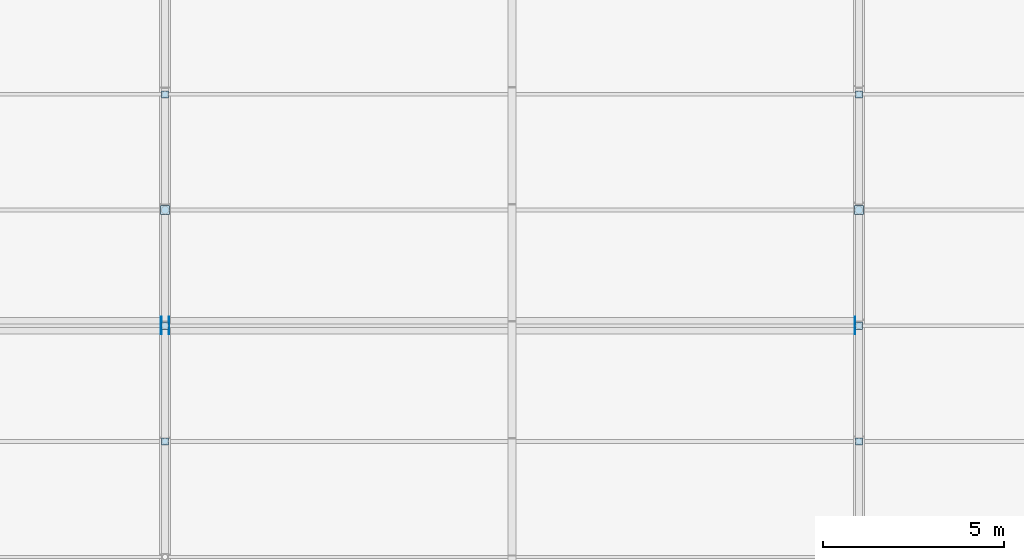
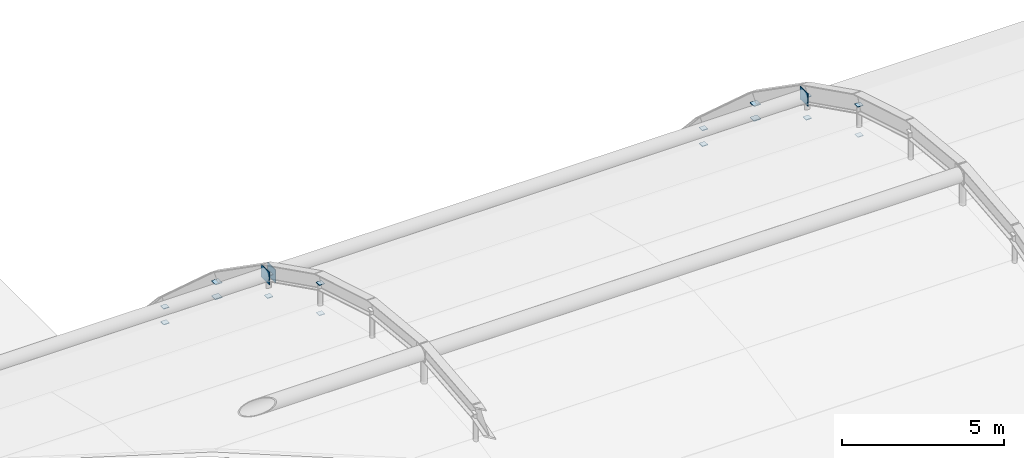
# One storey, part 115 of 126: 19 plates.
"""IFC4 building model written with IfcOpenShell, lengths in metres."""

from ifc_helpers import new_model, si_unit, direction, frame, origin, origin_2d, place, context, subcontext, project, spatial, rectangle, extrude, material, layer, layer_set, type_object, element, save


model = new_model("IFC4")

# Units and contexts
model_context = context("Model", 3, precision=1e-05, world=origin(), true_north=direction((0.0, 1.0)))
body_context = subcontext(model_context, "Body", "Model", "MODEL_VIEW")
ifc_project = project(units=[si_unit("LENGTHUNIT", "METRE"), si_unit("AREAUNIT", "SQUARE_METRE"), si_unit("VOLUMEUNIT", "CUBIC_METRE"), si_unit("PLANEANGLEUNIT", "RADIAN"), si_unit("MASSUNIT", "GRAM", prefix="KILO")], contexts=[model_context])

# Site, building, storey
site_placement = place(None, origin())
site = spatial("IfcSite", under=ifc_project, at=site_placement, CompositionType="ELEMENT")
building_placement = place(site_placement, origin())
building = spatial("IfcBuilding", under=site, at=building_placement, Name="Coralgate Yard Interchange", CompositionType="ELEMENT")
storey_placement = place(building_placement, frame((0.0, 0.0, 10.5)))
storey = spatial("IfcBuildingStorey", under=building, at=storey_placement, Name="L02", CompositionType="ELEMENT", Elevation=10.5)

# Plates
ifc_material = material(Name="Yellow-ochre weather-coated structural steel S355J2", Category="steel")
ifc_layer = layer(ifc_material, 0.02392578125)
ifc_layer_set = layer_set([ifc_layer], Name="Yellow-ochre weather-coated structural steel S355J2")
plate_type = type_object("IfcPlateType", Name="PLT-EP-24", PredefinedType="USERDEFINED", material=ifc_layer_set)
for number, where, z_axis, x_axis, name in (
    (1, (105.60009765625, 64.0, 11.8203125), (0.0, 0.0, 1.0), (1.0, 0.0, 0.0), "Steel hollow section end cap plate CAP-HGR-4-08-T"),
    (2, (105.60009765625, 64.0, 10.7021484375), (0.0, 0.0, -1.0), (1.0, 0.0, 0.0), "Steel hollow section end cap plate CAP-HGR-4-08-B"),
    (3, (105.60009765625, 67.199951171875, 10.22314453125), (0.0, 0.0, 1.0), (1.0, 0.0, 0.0), "Steel hollow section end cap plate CAP-HGR-4-09-T"),
    (4, (105.60009765625, 67.199951171875, 9.41455078125), (0.0, 0.0, -1.0), (1.0, 0.0, 0.0), "Steel hollow section end cap plate CAP-HGR-4-09-B"),
):
    element("IfcPlate", number, at=place(storey_placement, frame(where, z_axis=z_axis, x_axis=x_axis)), inside=storey, type_object=plate_type, Name=name, ObjectType="CAP PLATE", PredefinedType="USERDEFINED", context=body_context, shape_type="SweptSolid", body=[
        extrude(rectangle(XDim=0.197998046875, YDim=0.197998046875, at=origin_2d()), origin(), (0.0, 0.0, 1.0), 0.02392578125),
    ])
for number, where, z_axis, x_axis, name in (
    (5, (105.60009765625, 70.39990234375, 7.98681640625), (0.0, 0.0, 1.0), (1.0, 0.0, 0.0), "Steel hollow section end cap plate CAP-HGR-4-10-T"),
    (6, (105.60009765625, 70.39990234375, 7.451171875), (0.0, 0.0, -1.0), (1.0, 0.0, 0.0), "Steel hollow section end cap plate CAP-HGR-4-10-B"),
):
    element("IfcPlate", number, at=place(storey_placement, frame(where, z_axis=z_axis, x_axis=x_axis)), inside=storey, type_object=plate_type, Name=name, ObjectType="CAP PLATE", PredefinedType="USERDEFINED", context=body_context, shape_type="SweptSolid", body=[
        extrude(rectangle(XDim=0.2490234375, YDim=0.2490234375, at=origin_2d()), origin(), (0.0, 0.0, 1.0), 0.02392578125),
    ])
for number, where, z_axis, x_axis, name in (
    (7, (105.60009765625, 73.60009765625, 5.11181640625), (0.0, 0.0, 1.0), (1.0, 0.0, 0.0), "Steel hollow section end cap plate CAP-HGR-4-11-T"),
    (8, (105.60009765625, 73.60009765625, 4.5380859375), (0.0, 0.0, -1.0), (1.0, 0.0, 0.0), "Steel hollow section end cap plate CAP-HGR-4-11-B"),
    (9, (124.800048828125, 64.0, 11.8203125), (0.0, 0.0, 1.0), (1.0, 0.0, 0.0), "Steel hollow section end cap plate CAP-HGR-5-08-T"),
    (10, (124.800048828125, 64.0, 10.7021484375), (0.0, 0.0, -1.0), (1.0, 0.0, 0.0), "Steel hollow section end cap plate CAP-HGR-5-08-B"),
    (11, (124.800048828125, 67.199951171875, 10.22314453125), (0.0, 0.0, 1.0), (1.0, 0.0, 0.0), "Steel hollow section end cap plate CAP-HGR-5-09-T"),
    (12, (124.800048828125, 67.199951171875, 9.41455078125), (0.0, 0.0, -1.0), (1.0, 0.0, 0.0), "Steel hollow section end cap plate CAP-HGR-5-09-B"),
):
    element("IfcPlate", number, at=place(storey_placement, frame(where, z_axis=z_axis, x_axis=x_axis)), inside=storey, type_object=plate_type, Name=name, ObjectType="CAP PLATE", PredefinedType="USERDEFINED", context=body_context, shape_type="SweptSolid", body=[
        extrude(rectangle(XDim=0.197998046875, YDim=0.197998046875, at=origin_2d()), origin(), (0.0, 0.0, 1.0), 0.02392578125),
    ])
for number, where, z_axis, x_axis, name in (
    (13, (124.800048828125, 70.39990234375, 7.98681640625), (0.0, 0.0, 1.0), (1.0, 0.0, 0.0), "Steel hollow section end cap plate CAP-HGR-5-10-T"),
    (14, (124.800048828125, 70.39990234375, 7.451171875), (0.0, 0.0, -1.0), (1.0, 0.0, 0.0), "Steel hollow section end cap plate CAP-HGR-5-10-B"),
):
    element("IfcPlate", number, at=place(storey_placement, frame(where, z_axis=z_axis, x_axis=x_axis)), inside=storey, type_object=plate_type, Name=name, ObjectType="CAP PLATE", PredefinedType="USERDEFINED", context=body_context, shape_type="SweptSolid", body=[
        extrude(rectangle(XDim=0.2490234375, YDim=0.2490234375, at=origin_2d()), origin(), (0.0, 0.0, 1.0), 0.02392578125),
    ])
for number, where, z_axis, x_axis, name in (
    (15, (124.800048828125, 73.60009765625, 5.11181640625), (0.0, 0.0, 1.0), (1.0, 0.0, 0.0), "Steel hollow section end cap plate CAP-HGR-5-11-T"),
    (16, (124.800048828125, 73.60009765625, 4.5380859375), (0.0, 0.0, -1.0), (1.0, 0.0, 0.0), "Steel hollow section end cap plate CAP-HGR-5-11-B"),
):
    element("IfcPlate", number, at=place(storey_placement, frame(where, z_axis=z_axis, x_axis=x_axis)), inside=storey, type_object=plate_type, Name=name, ObjectType="CAP PLATE", PredefinedType="USERDEFINED", context=body_context, shape_type="SweptSolid", body=[
        extrude(rectangle(XDim=0.197998046875, YDim=0.197998046875, at=origin_2d()), origin(), (0.0, 0.0, 1.0), 0.02392578125),
    ])
for number, where, z_axis, x_axis, name in (
    (17, (105.47802734375, 67.199951171875, 10.25), (1.0, 0.0, 0.0), (0.0, 1.0, 0.0), "Steel hollow section end cap plate CAP-ATIE-3-N-1"),
    (18, (105.721923828125, 67.199951171875, 10.25), (-1.0, 0.0, 0.0), (0.0, -1.0, 0.0), "Steel hollow section end cap plate CAP-ATIE-4-N-0"),
    (19, (124.677978515625, 67.199951171875, 10.25), (1.0, 0.0, 0.0), (0.0, 1.0, 0.0), "Steel hollow section end cap plate CAP-ATIE-4-N-1"),
):
    element("IfcPlate", number, at=place(storey_placement, frame(where, z_axis=z_axis, x_axis=x_axis)), inside=storey, type_object=plate_type, Name=name, ObjectType="CAP PLATE", PredefinedType="USERDEFINED", context=body_context, shape_type="SweptSolid", body=[
        extrude(rectangle(XDim=0.487060546875, YDim=0.487060546875, at=origin_2d()), origin(), (0.0, 0.0, 1.0), 0.02392578125),
    ])

save(model, "model.ifc")
